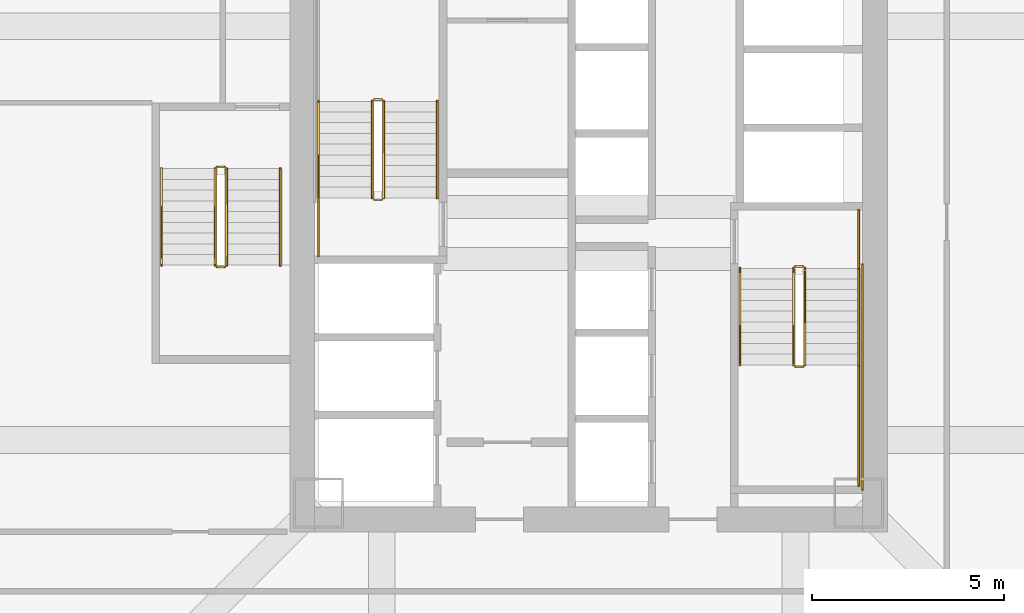
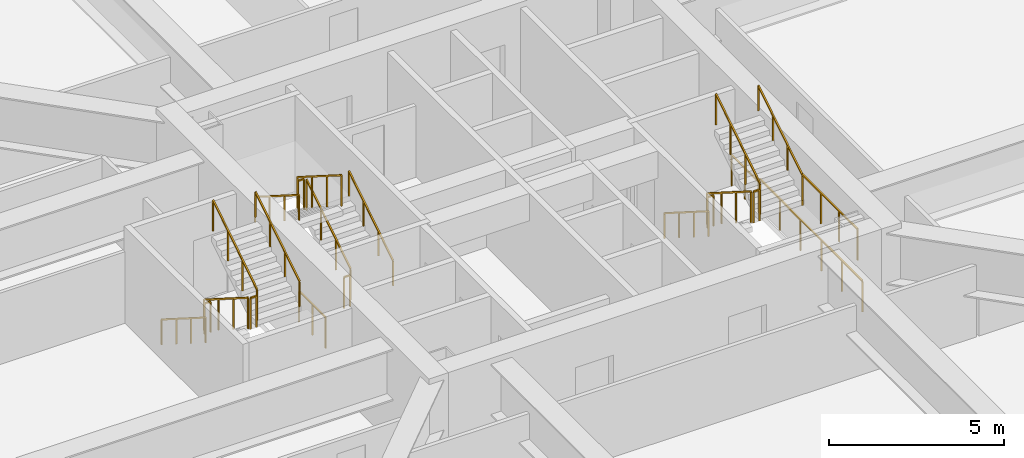
# One storey, part 44 of 48: 22 railings.
"""IFC4 building model written with IfcOpenShell, lengths in metres."""

from ifc_helpers import new_model, si_unit, direction, frame, origin, origin_2d, place, context, subcontext, project, spatial, rectangle, extrude, material, type_object, element, save


model = new_model("IFC4")

# Units and contexts
model_context = context("Model", 3, precision=1e-05, world=origin(), true_north=direction((0.0, 1.0)))
body_context = subcontext(model_context, "Body", "Model", "MODEL_VIEW")
ifc_project = project(units=[si_unit("LENGTHUNIT", "METRE"), si_unit("AREAUNIT", "SQUARE_METRE"), si_unit("VOLUMEUNIT", "CUBIC_METRE"), si_unit("PLANEANGLEUNIT", "RADIAN"), si_unit("MASSUNIT", "GRAM", prefix="KILO")], contexts=[model_context])

# Site, building, storey
site_placement = place(None, origin())
site = spatial("IfcSite", under=ifc_project, at=site_placement, CompositionType="ELEMENT")
building_placement = place(site_placement, origin())
building = spatial("IfcBuilding", under=site, at=building_placement, Name="Tashvorn Skyway Center", CompositionType="ELEMENT")
storey_placement = place(building_placement, frame((0.0, 0.0, 63.64990234375)))
storey = spatial("IfcBuildingStorey", under=building, at=storey_placement, Name="L16", CompositionType="ELEMENT", Elevation=63.64990234375)

# Railings
ifc_material_1 = material(Name="Brushed stainless steel 316", Category="steel")
railing_type_1 = type_object("IfcRailingType", Name="RAIL-HAND-920", PredefinedType="HANDRAIL", material=ifc_material_1)
railing_1_placement = place(storey_placement, frame((38.050048828125, 32.919921875, 0.177490234375)))
element("IfcRailing", 1, at=railing_1_placement, inside=storey, type_object=railing_type_1, Name="L16 ST-T1-1 stair handrail 1", PredefinedType="HANDRAIL", context=body_context, shape_type="SweptSolid", body=[
    extrude(rectangle(XDim=0.048095703125, YDim=0.048095703125, at=origin_2d()), frame((0.0, 0.0, 0.8759765625), z_axis=(0.0, 0.84456994832, 0.535445237532), x_axis=(-1.0, 0.0, 0.0)), (0.0, 0.0, 1.0), 2.98388671875),
    extrude(rectangle(XDim=0.0419921875, YDim=0.0419921875, at=origin_2d()), origin(), (0.0, 0.0, 1.0), 0.851806640625),
    extrude(rectangle(XDim=0.0419921875, YDim=0.0419921875, at=origin_2d()), frame((0.0, 0.840087890625, 0.532470703125)), (0.0, 0.0, 1.0), 0.851806640625),
    extrude(rectangle(XDim=0.0419921875, YDim=0.0419921875, at=origin_2d()), frame((0.0, 1.679931640625, 1.065185546875)), (0.0, 0.0, 1.0), 0.851806640625),
    extrude(rectangle(XDim=0.0419921875, YDim=0.0419921875, at=origin_2d()), frame((0.0, 2.52001953125, 1.59765625)), (0.0, 0.0, 1.0), 0.851806640625),
])
railing_2_placement = place(storey_placement, frame((34.949951171875, 35.43994140625, 1.95263671875)))
element("IfcRailing", 2, at=railing_2_placement, inside=storey, type_object=railing_type_1, Name="L16 ST-T1-1 stair handrail 2", PredefinedType="HANDRAIL", context=body_context, shape_type="SweptSolid", body=[
    extrude(rectangle(XDim=0.048095703125, YDim=0.048095703125, at=origin_2d()), frame((0.0, 0.0, 0.8759765625), z_axis=(0.0, -0.84460694969, 0.535386869969), x_axis=(1.0, 0.0, 0.0)), (0.0, 0.0, 1.0), 2.983642578125),
    extrude(rectangle(XDim=0.0419921875, YDim=0.0419921875, at=origin_2d()), origin(), (0.0, 0.0, 1.0), 0.851806640625),
    extrude(rectangle(XDim=0.0419921875, YDim=0.0419921875, at=origin_2d()), frame((0.0, -0.840087890625, 0.532470703125)), (0.0, 0.0, 1.0), 0.851806640625),
    extrude(rectangle(XDim=0.0419921875, YDim=0.0419921875, at=origin_2d()), frame((0.0, -1.679931640625, 1.06494140625)), (0.0, 0.0, 1.0), 0.851806640625),
    extrude(rectangle(XDim=0.0419921875, YDim=0.0419921875, at=origin_2d()), frame((0.0, -2.52001953125, 1.597412109375)), (0.0, 0.0, 1.0), 0.851806640625),
])
railing_3_placement = place(storey_placement, frame((45.949951171875, 31.080078125, 0.177490234375)))
element("IfcRailing", 3, at=railing_3_placement, inside=storey, type_object=railing_type_1, Name="L16 ST-T1-2 stair handrail 1", PredefinedType="HANDRAIL", context=body_context, shape_type="SweptSolid", body=[
    extrude(rectangle(XDim=0.048095703125, YDim=0.048095703125, at=origin_2d()), frame((0.0, 0.0, 0.8759765625), z_axis=(0.0, -0.84456994832, 0.535445237532), x_axis=(1.0, 0.0, 0.0)), (0.0, 0.0, 1.0), 2.98388671875),
    extrude(rectangle(XDim=0.0419921875, YDim=0.0419921875, at=origin_2d()), origin(), (0.0, 0.0, 1.0), 0.851806640625),
    extrude(rectangle(XDim=0.0419921875, YDim=0.0419921875, at=origin_2d()), frame((0.0, -0.840087890625, 0.532470703125)), (0.0, 0.0, 1.0), 0.851806640625),
    extrude(rectangle(XDim=0.0419921875, YDim=0.0419921875, at=origin_2d()), frame((0.0, -1.679931640625, 1.065185546875)), (0.0, 0.0, 1.0), 0.851806640625),
    extrude(rectangle(XDim=0.0419921875, YDim=0.0419921875, at=origin_2d()), frame((0.0, -2.52001953125, 1.59765625)), (0.0, 0.0, 1.0), 0.851806640625),
])
railing_4_placement = place(storey_placement, frame((49.050048828125, 28.56005859375, 1.95263671875)))
element("IfcRailing", 4, at=railing_4_placement, inside=storey, type_object=railing_type_1, Name="L16 ST-T1-2 stair handrail 2", PredefinedType="HANDRAIL", context=body_context, shape_type="SweptSolid", body=[
    extrude(rectangle(XDim=0.048095703125, YDim=0.048095703125, at=origin_2d()), frame((0.0, 0.0, 0.8759765625), z_axis=(0.0, 0.84460694969, 0.535386869969), x_axis=(-1.0, 0.0, 0.0)), (0.0, 0.0, 1.0), 2.983642578125),
    extrude(rectangle(XDim=0.0419921875, YDim=0.0419921875, at=origin_2d()), origin(), (0.0, 0.0, 1.0), 0.851806640625),
    extrude(rectangle(XDim=0.0419921875, YDim=0.0419921875, at=origin_2d()), frame((0.0, 0.840087890625, 0.532470703125)), (0.0, 0.0, 1.0), 0.851806640625),
    extrude(rectangle(XDim=0.0419921875, YDim=0.0419921875, at=origin_2d()), frame((0.0, 1.679931640625, 1.06494140625)), (0.0, 0.0, 1.0), 0.851806640625),
    extrude(rectangle(XDim=0.0419921875, YDim=0.0419921875, at=origin_2d()), frame((0.0, 2.52001953125, 1.597412109375)), (0.0, 0.0, 1.0), 0.851806640625),
])
railing_5_placement = place(storey_placement, frame((30.85009765625, 33.679931640625, 0.177490234375)))
element("IfcRailing", 5, at=railing_5_placement, inside=storey, type_object=railing_type_1, Name="L16 ST-T1-3 stair handrail 1", PredefinedType="HANDRAIL", context=body_context, shape_type="SweptSolid", body=[
    extrude(rectangle(XDim=0.048095703125, YDim=0.048095703125, at=origin_2d()), frame((0.0, 0.0, 0.8759765625), z_axis=(0.0, -0.84456994832, 0.535445237532), x_axis=(1.0, 0.0, 0.0)), (0.0, 0.0, 1.0), 2.98388671875),
    extrude(rectangle(XDim=0.0419921875, YDim=0.0419921875, at=origin_2d()), origin(), (0.0, 0.0, 1.0), 0.851806640625),
    extrude(rectangle(XDim=0.0419921875, YDim=0.0419921875, at=origin_2d()), frame((0.0, -0.840087890625, 0.532470703125)), (0.0, 0.0, 1.0), 0.851806640625),
    extrude(rectangle(XDim=0.0419921875, YDim=0.0419921875, at=origin_2d()), frame((0.0, -1.679931640625, 1.065185546875)), (0.0, 0.0, 1.0), 0.851806640625),
    extrude(rectangle(XDim=0.0419921875, YDim=0.0419921875, at=origin_2d()), frame((0.0, -2.52001953125, 1.59765625)), (0.0, 0.0, 1.0), 0.851806640625),
])
railing_6_placement = place(storey_placement, frame((33.949951171875, 31.159912109375, 1.95263671875)))
element("IfcRailing", 6, at=railing_6_placement, inside=storey, type_object=railing_type_1, Name="L16 ST-T1-3 stair handrail 2", PredefinedType="HANDRAIL", context=body_context, shape_type="SweptSolid", body=[
    extrude(rectangle(XDim=0.048095703125, YDim=0.048095703125, at=origin_2d()), frame((0.0, 0.0, 0.8759765625), z_axis=(0.0, 0.84460694969, 0.535386869969), x_axis=(-1.0, 0.0, 0.0)), (0.0, 0.0, 1.0), 2.983642578125),
    extrude(rectangle(XDim=0.0419921875, YDim=0.0419921875, at=origin_2d()), origin(), (0.0, 0.0, 1.0), 0.851806640625),
    extrude(rectangle(XDim=0.0419921875, YDim=0.0419921875, at=origin_2d()), frame((0.0, 0.840087890625, 0.532470703125)), (0.0, 0.0, 1.0), 0.851806640625),
    extrude(rectangle(XDim=0.0419921875, YDim=0.0419921875, at=origin_2d()), frame((0.0, 1.679931640625, 1.06494140625)), (0.0, 0.0, 1.0), 0.851806640625),
    extrude(rectangle(XDim=0.0419921875, YDim=0.0419921875, at=origin_2d()), frame((0.0, 2.52001953125, 1.597412109375)), (0.0, 0.0, 1.0), 0.851806640625),
])
ifc_material_2 = material(Name="Painted galvanized steel S355", Category="steel")
railing_type_2 = type_object("IfcRailingType", Name="RAIL-STGUARD-1100", PredefinedType="GUARDRAIL", material=ifc_material_2)
railing_7_placement = place(storey_placement, frame((36.64990234375, 32.919921875, 0.177490234375)))
element("IfcRailing", 7, at=railing_7_placement, inside=storey, type_object=railing_type_2, Name="L16 ST-T1-1 stair guard 1", PredefinedType="GUARDRAIL", context=body_context, shape_type="SweptSolid", body=[
    extrude(rectangle(XDim=0.048095703125, YDim=0.048095703125, at=origin_2d()), frame((0.0, 0.0, 1.076171875), z_axis=(0.0, 0.84456994832, 0.535445237532), x_axis=(-1.0, 0.0, 0.0)), (0.0, 0.0, 1.0), 2.98388671875),
    extrude(rectangle(XDim=0.0419921875, YDim=0.0419921875, at=origin_2d()), origin(), (0.0, 0.0, 1.0), 1.052001953125),
    extrude(rectangle(XDim=0.0419921875, YDim=0.0419921875, at=origin_2d()), frame((0.0, 0.840087890625, 0.532470703125)), (0.0, 0.0, 1.0), 1.052001953125),
    extrude(rectangle(XDim=0.0419921875, YDim=0.0419921875, at=origin_2d()), frame((0.0, 1.679931640625, 1.065185546875)), (0.0, 0.0, 1.0), 1.052001953125),
    extrude(rectangle(XDim=0.0419921875, YDim=0.0419921875, at=origin_2d()), frame((0.0, 2.52001953125, 1.59765625)), (0.0, 0.0, 1.0), 1.052001953125),
])
railing_8_placement = place(storey_placement, frame((36.60009765625, 35.489990234375, 1.775146484375)))
element("IfcRailing", 8, at=railing_8_placement, inside=storey, type_object=railing_type_2, Name="L16 ST-T1-1 stair guard 2", PredefinedType="GUARDRAIL", context=body_context, shape_type="SweptSolid", body=[
    extrude(rectangle(XDim=0.048095703125, YDim=0.048095703125, at=origin_2d()), frame((0.0, 0.0, 1.076171875), z_axis=(-1.0, 0.0, 0.0), x_axis=(0.0, -1.0, 0.0)), (0.0, 0.0, 1.0), 0.2001953125),
    extrude(rectangle(XDim=0.0419921875, YDim=0.0419921875, at=origin_2d()), origin(), (0.0, 0.0, 1.0), 1.052001953125),
    extrude(rectangle(XDim=0.0419921875, YDim=0.0419921875, at=origin_2d()), frame((-0.2001953125, 0.0, 0.0)), (0.0, 0.0, 1.0), 1.052001953125),
])
railing_9_placement = place(storey_placement, frame((36.35009765625, 35.43994140625, 1.95263671875)))
element("IfcRailing", 9, at=railing_9_placement, inside=storey, type_object=railing_type_2, Name="L16 ST-T1-1 stair guard 4", PredefinedType="GUARDRAIL", context=body_context, shape_type="SweptSolid", body=[
    extrude(rectangle(XDim=0.048095703125, YDim=0.048095703125, at=origin_2d()), frame((0.0, 0.0, 1.076171875), z_axis=(0.0, -0.84460694969, 0.535386869969), x_axis=(1.0, 0.0, 0.0)), (0.0, 0.0, 1.0), 2.983642578125),
    extrude(rectangle(XDim=0.0419921875, YDim=0.0419921875, at=origin_2d()), origin(), (0.0, 0.0, 1.0), 1.052001953125),
    extrude(rectangle(XDim=0.0419921875, YDim=0.0419921875, at=origin_2d()), frame((0.0, -0.840087890625, 0.532470703125)), (0.0, 0.0, 1.0), 1.052001953125),
    extrude(rectangle(XDim=0.0419921875, YDim=0.0419921875, at=origin_2d()), frame((0.0, -1.679931640625, 1.06494140625)), (0.0, 0.0, 1.0), 1.052001953125),
    extrude(rectangle(XDim=0.0419921875, YDim=0.0419921875, at=origin_2d()), frame((0.0, -2.52001953125, 1.597412109375)), (0.0, 0.0, 1.0), 1.052001953125),
])
railing_10_placement = place(storey_placement, frame((36.60009765625, 32.8701171875, 0.0)))
element("IfcRailing", 10, at=railing_10_placement, inside=storey, type_object=railing_type_2, Name="L16 ST-T1-1 stair guard 5", PredefinedType="GUARDRAIL", context=body_context, shape_type="SweptSolid", body=[
    extrude(rectangle(XDim=0.048095703125, YDim=0.048095703125, at=origin_2d()), frame((0.0, 0.0, 1.076171875), z_axis=(-1.0, 0.0, 0.0), x_axis=(0.0, -1.0, 0.0)), (0.0, 0.0, 1.0), 0.2001953125),
    extrude(rectangle(XDim=0.0419921875, YDim=0.0419921875, at=origin_2d()), origin(), (0.0, 0.0, 1.0), 1.052001953125),
    extrude(rectangle(XDim=0.0419921875, YDim=0.0419921875, at=origin_2d()), frame((-0.2001953125, 0.0, 0.0)), (0.0, 0.0, 1.0), 1.052001953125),
])
railing_11_placement = place(storey_placement, frame((34.949951171875, 31.39990234375, 0.0)))
element("IfcRailing", 11, at=railing_11_placement, inside=storey, type_object=railing_type_2, Name="L16 ST-T1-1 stair guard 6", PredefinedType="GUARDRAIL", context=body_context, shape_type="SweptSolid", body=[
    extrude(rectangle(XDim=0.048095703125, YDim=0.048095703125, at=origin_2d()), frame((0.0, 0.0, 1.076171875), z_axis=(0.0, 1.0, 0.0), x_axis=(-1.0, 0.0, 0.0)), (0.0, 0.0, 1.0), 1.52001953125),
    extrude(rectangle(XDim=0.0419921875, YDim=0.0419921875, at=origin_2d()), origin(), (0.0, 0.0, 1.0), 1.052001953125),
    extrude(rectangle(XDim=0.0419921875, YDim=0.0419921875, at=origin_2d()), frame((0.0, 0.760009765625, 0.0)), (0.0, 0.0, 1.0), 1.052001953125),
    extrude(rectangle(XDim=0.0419921875, YDim=0.0419921875, at=origin_2d()), frame((0.0, 1.52001953125, 0.0)), (0.0, 0.0, 1.0), 1.052001953125),
])
railing_12_placement = place(storey_placement, frame((47.35009765625, 31.080078125, 0.177490234375)))
element("IfcRailing", 12, at=railing_12_placement, inside=storey, type_object=railing_type_2, Name="L16 ST-T1-2 stair guard 1", PredefinedType="GUARDRAIL", context=body_context, shape_type="SweptSolid", body=[
    extrude(rectangle(XDim=0.048095703125, YDim=0.048095703125, at=origin_2d()), frame((0.0, 0.0, 1.076171875), z_axis=(0.0, -0.84456994832, 0.535445237532), x_axis=(1.0, 0.0, 0.0)), (0.0, 0.0, 1.0), 2.98388671875),
    extrude(rectangle(XDim=0.0419921875, YDim=0.0419921875, at=origin_2d()), origin(), (0.0, 0.0, 1.0), 1.052001953125),
    extrude(rectangle(XDim=0.0419921875, YDim=0.0419921875, at=origin_2d()), frame((0.0, -0.840087890625, 0.532470703125)), (0.0, 0.0, 1.0), 1.052001953125),
    extrude(rectangle(XDim=0.0419921875, YDim=0.0419921875, at=origin_2d()), frame((0.0, -1.679931640625, 1.065185546875)), (0.0, 0.0, 1.0), 1.052001953125),
    extrude(rectangle(XDim=0.0419921875, YDim=0.0419921875, at=origin_2d()), frame((0.0, -2.52001953125, 1.59765625)), (0.0, 0.0, 1.0), 1.052001953125),
])
railing_13_placement = place(storey_placement, frame((47.39990234375, 28.510009765625, 1.775146484375)))
element("IfcRailing", 13, at=railing_13_placement, inside=storey, type_object=railing_type_2, Name="L16 ST-T1-2 stair guard 2", PredefinedType="GUARDRAIL", context=body_context, shape_type="SweptSolid", body=[
    extrude(rectangle(XDim=0.048095703125, YDim=0.048095703125, at=origin_2d()), frame((0.0, 0.0, 1.076171875), z_axis=(1.0, 0.0, 0.0), x_axis=(0.0, 1.0, 0.0)), (0.0, 0.0, 1.0), 0.2001953125),
    extrude(rectangle(XDim=0.0419921875, YDim=0.0419921875, at=origin_2d()), origin(), (0.0, 0.0, 1.0), 1.052001953125),
    extrude(rectangle(XDim=0.0419921875, YDim=0.0419921875, at=origin_2d()), frame((0.2001953125, 0.0, 0.0)), (0.0, 0.0, 1.0), 1.052001953125),
])
railing_14_placement = place(storey_placement, frame((49.050048828125, 28.56005859375, 1.775146484375)))
element("IfcRailing", 14, at=railing_14_placement, inside=storey, type_object=railing_type_2, Name="L16 ST-T1-2 stair guard 3", PredefinedType="GUARDRAIL", context=body_context, shape_type="SweptSolid", body=[
    extrude(rectangle(XDim=0.048095703125, YDim=0.048095703125, at=origin_2d()), frame((0.0, 0.0, 1.076171875), z_axis=(0.0, -1.0, 0.0), x_axis=(1.0, 0.0, 0.0)), (0.0, 0.0, 1.0), 3.16015625),
    extrude(rectangle(XDim=0.0419921875, YDim=0.0419921875, at=origin_2d()), origin(), (0.0, 0.0, 1.0), 1.052001953125),
    extrude(rectangle(XDim=0.0419921875, YDim=0.0419921875, at=origin_2d()), frame((0.0, -1.053466796875, 0.0)), (0.0, 0.0, 1.0), 1.052001953125),
    extrude(rectangle(XDim=0.0419921875, YDim=0.0419921875, at=origin_2d()), frame((0.0, -2.106689453125, 0.0)), (0.0, 0.0, 1.0), 1.052001953125),
    extrude(rectangle(XDim=0.0419921875, YDim=0.0419921875, at=origin_2d()), frame((0.0, -3.16015625, 0.0)), (0.0, 0.0, 1.0), 1.052001953125),
])
railing_15_placement = place(storey_placement, frame((47.64990234375, 28.56005859375, 1.95263671875)))
element("IfcRailing", 15, at=railing_15_placement, inside=storey, type_object=railing_type_2, Name="L16 ST-T1-2 stair guard 4", PredefinedType="GUARDRAIL", context=body_context, shape_type="SweptSolid", body=[
    extrude(rectangle(XDim=0.048095703125, YDim=0.048095703125, at=origin_2d()), frame((0.0, 0.0, 1.076171875), z_axis=(0.0, 0.84460694969, 0.535386869969), x_axis=(-1.0, 0.0, 0.0)), (0.0, 0.0, 1.0), 2.983642578125),
    extrude(rectangle(XDim=0.0419921875, YDim=0.0419921875, at=origin_2d()), origin(), (0.0, 0.0, 1.0), 1.052001953125),
    extrude(rectangle(XDim=0.0419921875, YDim=0.0419921875, at=origin_2d()), frame((0.0, 0.840087890625, 0.532470703125)), (0.0, 0.0, 1.0), 1.052001953125),
    extrude(rectangle(XDim=0.0419921875, YDim=0.0419921875, at=origin_2d()), frame((0.0, 1.679931640625, 1.06494140625)), (0.0, 0.0, 1.0), 1.052001953125),
    extrude(rectangle(XDim=0.0419921875, YDim=0.0419921875, at=origin_2d()), frame((0.0, 2.52001953125, 1.597412109375)), (0.0, 0.0, 1.0), 1.052001953125),
])
railing_16_placement = place(storey_placement, frame((47.39990234375, 31.1298828125, 0.0)))
element("IfcRailing", 16, at=railing_16_placement, inside=storey, type_object=railing_type_2, Name="L16 ST-T1-2 stair guard 5", PredefinedType="GUARDRAIL", context=body_context, shape_type="SweptSolid", body=[
    extrude(rectangle(XDim=0.048095703125, YDim=0.048095703125, at=origin_2d()), frame((0.0, 0.0, 1.076171875), z_axis=(1.0, 0.0, 0.0), x_axis=(0.0, 1.0, 0.0)), (0.0, 0.0, 1.0), 0.2001953125),
    extrude(rectangle(XDim=0.0419921875, YDim=0.0419921875, at=origin_2d()), origin(), (0.0, 0.0, 1.0), 1.052001953125),
    extrude(rectangle(XDim=0.0419921875, YDim=0.0419921875, at=origin_2d()), frame((0.2001953125, 0.0, 0.0)), (0.0, 0.0, 1.0), 1.052001953125),
])
railing_17_placement = place(storey_placement, frame((49.050048828125, 32.60009765625, 0.0)))
element("IfcRailing", 17, at=railing_17_placement, inside=storey, type_object=railing_type_2, Name="L16 ST-T1-2 stair guard 6", PredefinedType="GUARDRAIL", context=body_context, shape_type="SweptSolid", body=[
    extrude(rectangle(XDim=0.048095703125, YDim=0.048095703125, at=origin_2d()), frame((0.0, 0.0, 1.076171875), z_axis=(0.0, -1.0, 0.0), x_axis=(1.0, 0.0, 0.0)), (0.0, 0.0, 1.0), 1.52001953125),
    extrude(rectangle(XDim=0.0419921875, YDim=0.0419921875, at=origin_2d()), origin(), (0.0, 0.0, 1.0), 1.052001953125),
    extrude(rectangle(XDim=0.0419921875, YDim=0.0419921875, at=origin_2d()), frame((0.0, -0.760009765625, 0.0)), (0.0, 0.0, 1.0), 1.052001953125),
    extrude(rectangle(XDim=0.0419921875, YDim=0.0419921875, at=origin_2d()), frame((0.0, -1.52001953125, 0.0)), (0.0, 0.0, 1.0), 1.052001953125),
])
railing_18_placement = place(storey_placement, frame((49.14990234375, 31.179931640625, 0.0)))
element("IfcRailing", 18, at=railing_18_placement, inside=storey, type_object=railing_type_2, Name="L16 ST-T1-2 stair guard 7", PredefinedType="GUARDRAIL", context=body_context, shape_type="SweptSolid", body=[
    extrude(rectangle(XDim=0.048095703125, YDim=0.048095703125, at=origin_2d()), frame((0.0, 0.0, 1.076171875), z_axis=(0.0, -1.0, 0.0), x_axis=(1.0, 0.0, 0.0)), (0.0, 0.0, 1.0), 5.8798828125),
    extrude(rectangle(XDim=0.0419921875, YDim=0.0419921875, at=origin_2d()), origin(), (0.0, 0.0, 1.0), 1.052001953125),
    extrude(rectangle(XDim=0.0419921875, YDim=0.0419921875, at=origin_2d()), frame((0.0, -1.176025390625, 0.0)), (0.0, 0.0, 1.0), 1.052001953125),
    extrude(rectangle(XDim=0.0419921875, YDim=0.0419921875, at=origin_2d()), frame((0.0, -2.35205078125, 0.0)), (0.0, 0.0, 1.0), 1.052001953125),
    extrude(rectangle(XDim=0.0419921875, YDim=0.0419921875, at=origin_2d()), frame((0.0, -3.52783203125, 0.0)), (0.0, 0.0, 1.0), 1.052001953125),
    extrude(rectangle(XDim=0.0419921875, YDim=0.0419921875, at=origin_2d()), frame((0.0, -4.703857421875, 0.0)), (0.0, 0.0, 1.0), 1.052001953125),
    extrude(rectangle(XDim=0.0419921875, YDim=0.0419921875, at=origin_2d()), frame((0.0, -5.8798828125, 0.0)), (0.0, 0.0, 1.0), 1.052001953125),
])
railing_19_placement = place(storey_placement, frame((32.25, 33.679931640625, 0.177490234375)))
element("IfcRailing", 19, at=railing_19_placement, inside=storey, type_object=railing_type_2, Name="L16 ST-T1-3 stair guard 1", PredefinedType="GUARDRAIL", context=body_context, shape_type="SweptSolid", body=[
    extrude(rectangle(XDim=0.048095703125, YDim=0.048095703125, at=origin_2d()), frame((0.0, 0.0, 1.076171875), z_axis=(0.0, -0.84456994832, 0.535445237532), x_axis=(1.0, 0.0, 0.0)), (0.0, 0.0, 1.0), 2.98388671875),
    extrude(rectangle(XDim=0.0419921875, YDim=0.0419921875, at=origin_2d()), origin(), (0.0, 0.0, 1.0), 1.052001953125),
    extrude(rectangle(XDim=0.0419921875, YDim=0.0419921875, at=origin_2d()), frame((0.0, -0.840087890625, 0.532470703125)), (0.0, 0.0, 1.0), 1.052001953125),
    extrude(rectangle(XDim=0.0419921875, YDim=0.0419921875, at=origin_2d()), frame((0.0, -1.679931640625, 1.065185546875)), (0.0, 0.0, 1.0), 1.052001953125),
    extrude(rectangle(XDim=0.0419921875, YDim=0.0419921875, at=origin_2d()), frame((0.0, -2.52001953125, 1.59765625)), (0.0, 0.0, 1.0), 1.052001953125),
])
railing_20_placement = place(storey_placement, frame((32.300048828125, 31.110107421875, 1.775146484375)))
element("IfcRailing", 20, at=railing_20_placement, inside=storey, type_object=railing_type_2, Name="L16 ST-T1-3 stair guard 2", PredefinedType="GUARDRAIL", context=body_context, shape_type="SweptSolid", body=[
    extrude(rectangle(XDim=0.048095703125, YDim=0.048095703125, at=origin_2d()), frame((0.0, 0.0, 1.076171875), z_axis=(1.0, 0.0, 0.0), x_axis=(0.0, 1.0, 0.0)), (0.0, 0.0, 1.0), 0.199951171875),
    extrude(rectangle(XDim=0.0419921875, YDim=0.0419921875, at=origin_2d()), origin(), (0.0, 0.0, 1.0), 1.052001953125),
    extrude(rectangle(XDim=0.0419921875, YDim=0.0419921875, at=origin_2d()), frame((0.199951171875, 0.0, 0.0)), (0.0, 0.0, 1.0), 1.052001953125),
])
railing_21_placement = place(storey_placement, frame((32.550048828125, 31.159912109375, 1.95263671875)))
element("IfcRailing", 21, at=railing_21_placement, inside=storey, type_object=railing_type_2, Name="L16 ST-T1-3 stair guard 3", PredefinedType="GUARDRAIL", context=body_context, shape_type="SweptSolid", body=[
    extrude(rectangle(XDim=0.048095703125, YDim=0.048095703125, at=origin_2d()), frame((0.0, 0.0, 1.076171875), z_axis=(0.0, 0.84460694969, 0.535386869969), x_axis=(-1.0, 0.0, 0.0)), (0.0, 0.0, 1.0), 2.983642578125),
    extrude(rectangle(XDim=0.0419921875, YDim=0.0419921875, at=origin_2d()), origin(), (0.0, 0.0, 1.0), 1.052001953125),
    extrude(rectangle(XDim=0.0419921875, YDim=0.0419921875, at=origin_2d()), frame((0.0, 0.840087890625, 0.532470703125)), (0.0, 0.0, 1.0), 1.052001953125),
    extrude(rectangle(XDim=0.0419921875, YDim=0.0419921875, at=origin_2d()), frame((0.0, 1.679931640625, 1.06494140625)), (0.0, 0.0, 1.0), 1.052001953125),
    extrude(rectangle(XDim=0.0419921875, YDim=0.0419921875, at=origin_2d()), frame((0.0, 2.52001953125, 1.597412109375)), (0.0, 0.0, 1.0), 1.052001953125),
])
railing_22_placement = place(storey_placement, frame((32.300048828125, 33.72998046875, 0.0)))
element("IfcRailing", 22, at=railing_22_placement, inside=storey, type_object=railing_type_2, Name="L16 ST-T1-3 stair guard 4", PredefinedType="GUARDRAIL", context=body_context, shape_type="SweptSolid", body=[
    extrude(rectangle(XDim=0.048095703125, YDim=0.048095703125, at=origin_2d()), frame((0.0, 0.0, 1.076171875), z_axis=(1.0, 0.0, 0.0), x_axis=(0.0, 1.0, 0.0)), (0.0, 0.0, 1.0), 0.199951171875),
    extrude(rectangle(XDim=0.0419921875, YDim=0.0419921875, at=origin_2d()), origin(), (0.0, 0.0, 1.0), 1.052001953125),
    extrude(rectangle(XDim=0.0419921875, YDim=0.0419921875, at=origin_2d()), frame((0.199951171875, 0.0, 0.0)), (0.0, 0.0, 1.0), 1.052001953125),
])

save(model, "model.ifc")
